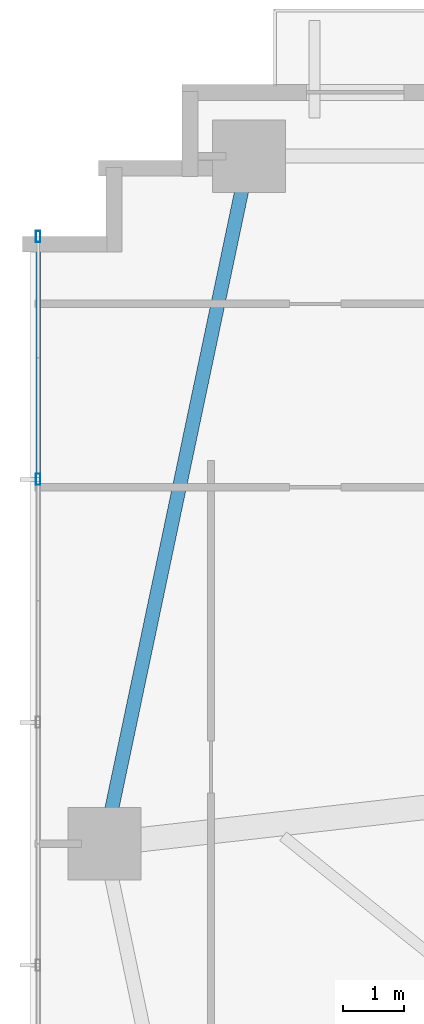
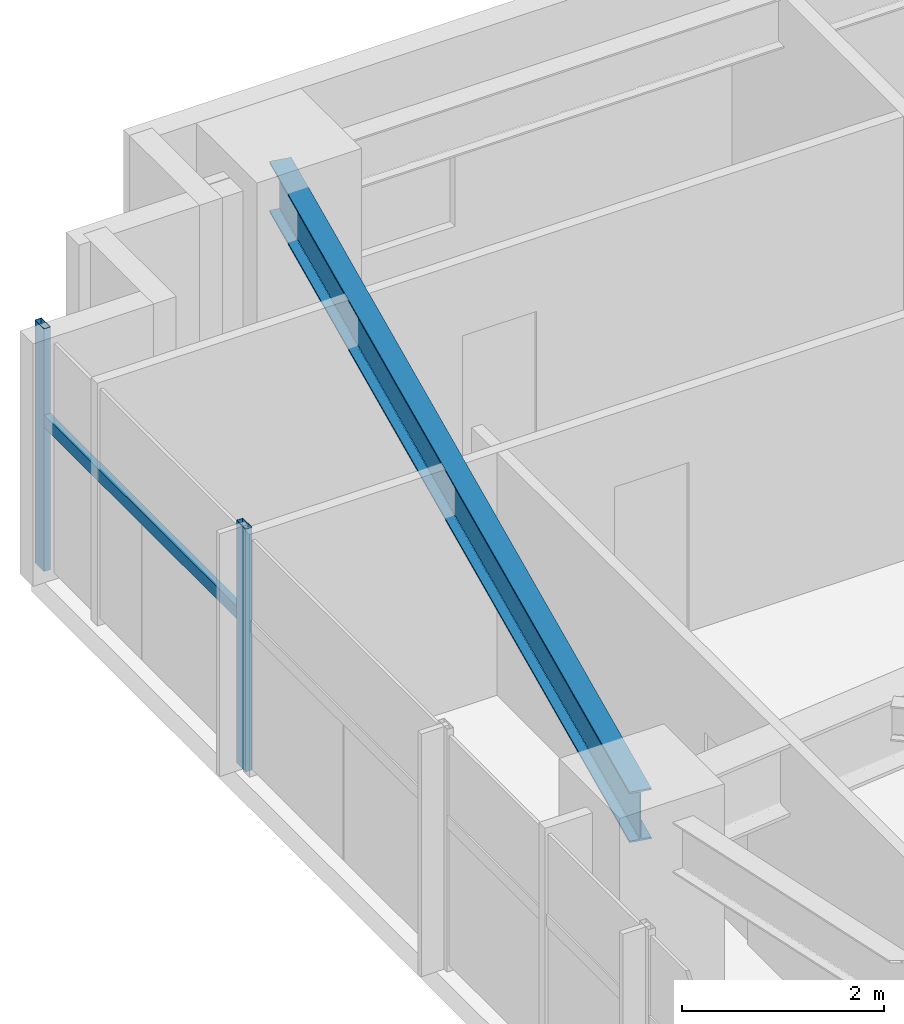
# One storey, part 8 of 25: 3 members, 1 beam, 1 element without a shape of its own.
"""IFC4 building model written with IfcOpenShell, lengths in metres."""

from ifc_helpers import new_model, si_unit, direction, frame, origin, origin_2d, place, context, subcontext, project, spatial, hollow_rectangle, i_section, extrude, source, transform, mapped, material, material_profile, profile_set, type_object, type_shapes, element, aggregate, save


model = new_model("IFC4")

# Units and contexts
model_context = context("Model", 3, precision=1e-05, world=origin(), true_north=direction((0.0, 1.0)))
body_context = subcontext(model_context, "Body", "Model", "MODEL_VIEW")
ifc_project = project(units=[si_unit("LENGTHUNIT", "METRE"), si_unit("AREAUNIT", "SQUARE_METRE"), si_unit("VOLUMEUNIT", "CUBIC_METRE"), si_unit("PLANEANGLEUNIT", "RADIAN"), si_unit("MASSUNIT", "GRAM", prefix="KILO")], contexts=[model_context])

# Site, building, storey
site_placement = place(None, origin())
site = spatial("IfcSite", under=ifc_project, at=site_placement, CompositionType="ELEMENT")
building_placement = place(site_placement, origin())
building = spatial("IfcBuilding", under=site, at=building_placement, Name="Astriad Promenade Condominiums", CompositionType="ELEMENT")
storey_placement = place(building_placement, frame((0.0, 0.0, 48.60009765625)))
storey = spatial("IfcBuildingStorey", under=building, at=storey_placement, Name="L13", CompositionType="ELEMENT", Elevation=48.60009765625)

# Beam
ifc_material_1 = material(Name="Steel ASTM A992 Grade 50", Category="steel")
ifc_material_profile_1 = material_profile(ifc_material_1, i_section(OverallWidth=0.22900390625, OverallDepth=0.612060546875, WebThickness=0.011962890625, FlangeThickness=0.01953125, FilletRadius=0.017822265625, at=origin_2d()), Name="W24X84")
ifc_profile_set_1 = profile_set([ifc_material_profile_1], Name="Steel ASTM A992 Grade 50")
beam_type = type_object("IfcBeamType", Name="STEEL SPANDREL BEAM W24X84", PredefinedType="SPANDREL", material=ifc_profile_set_1)
shared_shape_1 = source(origin(), body_context, "Body", "SweptSolid", [
    extrude(i_section(OverallWidth=0.22900390625, OverallDepth=0.612060546875, WebThickness=0.011962890625, FlangeThickness=0.01953125, FilletRadius=0.017822265625, at=origin_2d()), origin(), (0.0, 0.0, 1.0), 11.48779296875),
])
type_shapes(beam_type, [shared_shape_1])
beam_placement = place(storey_placement, frame((9.391845703125, 26.48095703125, 2.6337890625), z_axis=(-0.205743776427, -0.978605895374, 0.0), x_axis=(0.978605895374, -0.205743776427, 0.0)))
element("IfcBeam", 1, at=beam_placement, inside=storey, type_object=beam_type, Name="Perimeter Spandrel Beam SP-W2-L13", PredefinedType="SPANDREL", context=body_context, shape_type="MappedRepresentation", body=[
    mapped(shared_shape_1, transform((0.0, 0.0, 0.0), scale=1.0)),
])

# Curtain wall, members
ifc_material_2 = material(Name="Anodised aluminium Black Dark Glass Unitised", Category="aluminium")
curtain_wall_type = type_object("IfcCurtainWallType", Name="CW-B1-DARK", PredefinedType="USERDEFINED", material=ifc_material_2)
curtain_wall_placement = place(storey_placement, origin())
curtain_wall = element("IfcCurtainWall", 2, at=curtain_wall_placement, inside=storey, type_object=curtain_wall_type, Name="CW-L13-W", ObjectType="UNITISED_CURTAIN_WALL", PredefinedType="USERDEFINED")
ifc_material_3 = material(Name="Anodised aluminium 6063-T6 Black", Category="aluminium")
ifc_material_profile_2 = material_profile(ifc_material_3, hollow_rectangle(XDim=0.074951171875, YDim=0.18505859375, WallThickness=0.00439453125, at=origin_2d()), Name="ALU-MUL-75X185")
ifc_profile_set_2 = profile_set([ifc_material_profile_2], Name="Anodised aluminium 6063-T6 Black")
member_type_1 = type_object("IfcMemberType", Name="MUL-ALU-MUL-75X185", PredefinedType="MULLION", material=ifc_profile_set_2)
shared_shape_2 = source(origin(), body_context, "Body", "SweptSolid", [
    extrude(hollow_rectangle(XDim=0.074951171875, YDim=0.18505859375, WallThickness=0.00439453125, at=origin_2d()), origin(), (0.0, 0.0, 1.0), 2.93994140625),
])
type_shapes(member_type_1, [shared_shape_2])
member_1_placement = place(storey_placement, frame((5.929931640625, 21.199951171875, 0.0), z_axis=(0.0, 0.0, 1.0), x_axis=(1.0, 0.0, 0.0)))
member_1 = element("IfcMember", 3, at=member_1_placement, type_object=member_type_1, Name="CW-L13-W-MUL-04", PredefinedType="MULLION", context=body_context, shape_type="MappedRepresentation", body=[
    mapped(shared_shape_2, transform((0.0, 0.0, 0.0), scale=1.0)),
])
member_2_placement = place(storey_placement, frame((5.929931640625, 25.199951171875, 0.0), z_axis=(0.0, 0.0, 1.0), x_axis=(1.0, 0.0, 0.0)))
member_2 = element("IfcMember", 4, at=member_2_placement, type_object=member_type_1, Name="CW-L13-W-MUL-05", PredefinedType="MULLION", context=body_context, shape_type="MappedRepresentation", body=[
    mapped(shared_shape_2, transform((0.0, 0.0, 0.0), scale=1.0)),
])
ifc_material_profile_3 = material_profile(ifc_material_3, hollow_rectangle(XDim=0.074951171875, YDim=0.14990234375, WallThickness=0.004150390625, at=origin_2d()), Name="ALU-TRN-75X150")
ifc_profile_set_3 = profile_set([ifc_material_profile_3], Name="Anodised aluminium 6063-T6 Black")
member_type_2 = type_object("IfcMemberType", Name="TRN-ALU-TRN-75X150", PredefinedType="USERDEFINED", material=ifc_profile_set_3)
shared_shape_3 = source(origin(), body_context, "Body", "SweptSolid", [
    extrude(hollow_rectangle(XDim=0.074951171875, YDim=0.14990234375, WallThickness=0.004150390625, at=origin_2d()), origin(), (0.0, 0.0, 1.0), 4.0),
])
type_shapes(member_type_2, [shared_shape_3])
member_3_placement = place(storey_placement, frame((5.929931640625, 21.199951171875, 1.82275390625), z_axis=(0.0, 1.0, 0.0), x_axis=(-1.0, 0.0, 0.0)))
member_3 = element("IfcMember", 5, at=member_3_placement, type_object=member_type_2, Name="CW-L13-W-TRN-04-0", ObjectType="TRANSOM", PredefinedType="USERDEFINED", context=body_context, shape_type="MappedRepresentation", body=[
    mapped(shared_shape_3, transform((0.0, 0.0, 0.0), scale=1.0)),
])
aggregate(curtain_wall, [member_1, member_2, member_3])

save(model, "model.ifc")
